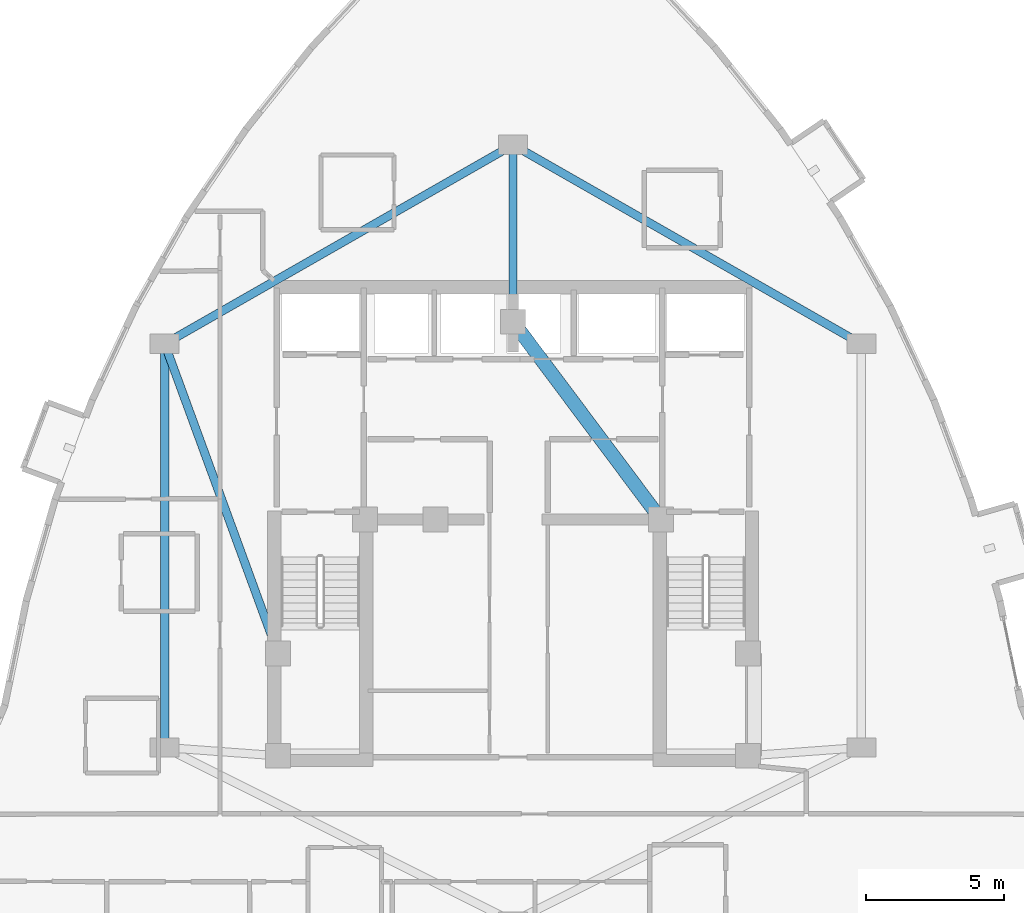
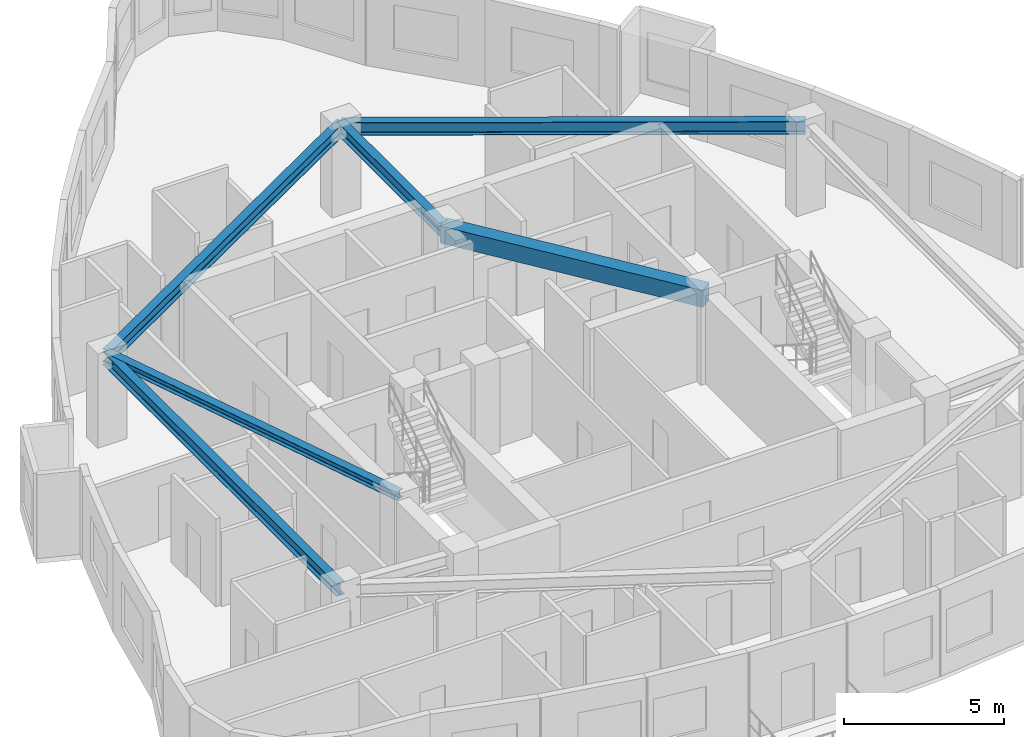
# One storey, part 3 of 15: 6 beams.
"""IFC4 building model written with IfcOpenShell, lengths in metres."""

from ifc_helpers import new_model, si_unit, direction, frame, origin, origin_2d, place, context, subcontext, project, spatial, rectangle, i_section, extrude, material, material_profile, profile_set, type_object, element, save


model = new_model("IFC4")

# Units and contexts
model_context = context("Model", 3, precision=1e-05, world=origin(), true_north=direction((0.0, 1.0)))
body_context = subcontext(model_context, "Body", "Model", "MODEL_VIEW")
ifc_project = project(units=[si_unit("LENGTHUNIT", "METRE"), si_unit("AREAUNIT", "SQUARE_METRE"), si_unit("VOLUMEUNIT", "CUBIC_METRE"), si_unit("PLANEANGLEUNIT", "RADIAN"), si_unit("MASSUNIT", "GRAM", prefix="KILO")], contexts=[model_context])

# Site, building, storey
site_placement = place(None, origin())
site = spatial("IfcSite", under=ifc_project, at=site_placement, CompositionType="ELEMENT")
building_placement = place(site_placement, origin())
building = spatial("IfcBuilding", under=site, at=building_placement, Name="Miruveldt Soraemaru", CompositionType="ELEMENT")
storey_placement = place(building_placement, frame((0.0, 0.0, 234.0)))
storey = spatial("IfcBuildingStorey", under=building, at=storey_placement, Name="L64", CompositionType="ELEMENT", Elevation=234.0)

# Beams
ifc_material_1 = material(Name="Steel SM355 (355 MPa)", Category="steel")
ifc_material_profile_1 = material_profile(ifc_material_1, i_section(OverallWidth=0.300048828125, OverallDepth=0.300048828125, WebThickness=0.010009765625, FlangeThickness=0.014892578125, FilletRadius=0.01806640625, at=origin_2d()), Name="Steel SM355 (355 MPa)", Category="steel")
ifc_profile_set_1 = profile_set([ifc_material_profile_1], Name="Steel SM355 (355 MPa)")
beam_type_1 = type_object("IfcBeamType", Name="BM-LNT-H300", PredefinedType="LINTEL", material=ifc_profile_set_1)
beam_1_placement = place(storey_placement, frame((31.39990234375, 50.39990234375, 3.195068359375), z_axis=(0.343770424598, -0.939053723262, 0.0), x_axis=(0.939053723262, 0.343770424598, 0.0)))
element("IfcBeam", 1, at=beam_1_placement, inside=storey, type_object=beam_type_1, Name="L64 West Lobby Lintel", PredefinedType="LINTEL", context=body_context, shape_type="SweptSolid", body=[
    extrude(i_section(OverallWidth=0.300048828125, OverallDepth=0.300048828125, WebThickness=0.010009765625, FlangeThickness=0.014892578125, FilletRadius=0.01806640625, at=origin_2d()), origin(), (0.0, 0.0, 1.0), 11.9267578125),
])
ifc_material_2 = material(Name="Concrete C50/60 (50 MPa)", Category="concrete")
ifc_material_profile_2 = material_profile(ifc_material_2, rectangle(XDim=0.5, YDim=0.64990234375, at=origin_2d()), Name="Concrete C50/60 (50 MPa)", Category="concrete")
ifc_profile_set_2 = profile_set([ifc_material_profile_2], Name="Concrete C50/60 (50 MPa)")
beam_type_2 = type_object("IfcBeamType", Name="BM-RC-500x650", PredefinedType="BEAM", material=ifc_profile_set_2)
beam_2_placement = place(storey_placement, frame((49.35009765625, 44.050048828125, 3.02001953125), z_axis=(-0.599116023999, 0.800662219533, 0.0), x_axis=(-0.800662219533, -0.599116023999, 0.0)))
element("IfcBeam", 2, at=beam_2_placement, inside=storey, type_object=beam_type_2, Name="L64 Core Tie Beam 5", PredefinedType="BEAM", context=body_context, shape_type="SweptSolid", body=[
    extrude(rectangle(XDim=0.5, YDim=0.64990234375, at=origin_2d()), origin(), (0.0, 0.0, 1.0), 8.929931640625),
])
ifc_material_profile_3 = material_profile(ifc_material_1, i_section(OverallWidth=0.300048828125, OverallDepth=0.488037109375, WebThickness=0.010986328125, FlangeThickness=0.01806640625, FilletRadius=0.02587890625, at=origin_2d()), Name="Steel SM355 (355 MPa)", Category="steel")
ifc_profile_set_3 = profile_set([ifc_material_profile_3], Name="Steel SM355 (355 MPa)")
beam_type_3 = type_object("IfcBeamType", Name="BM-ST-H488", PredefinedType="BEAM", material=ifc_profile_set_3)
beam_3_placement = place(storey_placement, frame((44.0, 57.60009765625, 3.10107421875), z_axis=(0.868239001029, -0.496146185203, 0.0), x_axis=(0.496146185203, 0.868239001029, 0.0)))
element("IfcBeam", 3, at=beam_3_placement, inside=storey, type_object=beam_type_3, Name="L64 Inner Ring Girder 1", PredefinedType="BEAM", context=body_context, shape_type="SweptSolid", body=[
    extrude(i_section(OverallWidth=0.300048828125, OverallDepth=0.488037109375, WebThickness=0.010986328125, FlangeThickness=0.01806640625, FilletRadius=0.02587890625, at=origin_2d()), origin(), (0.0, 0.0, 1.0), 14.51220703125),
])
beam_4_placement = place(storey_placement, frame((44.0, 51.199951171875, 3.10107421875), z_axis=(0.0, 1.0, 0.0), x_axis=(-1.0, 0.0, 0.0)))
element("IfcBeam", 4, at=beam_4_placement, inside=storey, type_object=beam_type_3, Name="L64 Core-to-Inner Radial Girder 1", PredefinedType="BEAM", context=body_context, shape_type="SweptSolid", body=[
    extrude(i_section(OverallWidth=0.300048828125, OverallDepth=0.488037109375, WebThickness=0.010986328125, FlangeThickness=0.01806640625, FilletRadius=0.02587890625, at=origin_2d()), origin(), (0.0, 0.0, 1.0), 6.400146484375),
])
beam_5_placement = place(storey_placement, frame((31.39990234375, 35.800048828125, 3.10107421875), z_axis=(0.0, 1.0, 0.0), x_axis=(-1.0, 0.0, 0.0)))
element("IfcBeam", 5, at=beam_5_placement, inside=storey, type_object=beam_type_3, Name="L64 Inner Ring Girder 5", PredefinedType="BEAM", context=body_context, shape_type="SweptSolid", body=[
    extrude(i_section(OverallWidth=0.300048828125, OverallDepth=0.488037109375, WebThickness=0.010986328125, FlangeThickness=0.01806640625, FilletRadius=0.02587890625, at=origin_2d()), origin(), (0.0, 0.0, 1.0), 14.599853515625),
])
beam_6_placement = place(storey_placement, frame((31.39990234375, 50.39990234375, 3.10107421875), z_axis=(0.868239001029, 0.496146185203, 0.0), x_axis=(-0.496146185203, 0.868239001029, 0.0)))
element("IfcBeam", 6, at=beam_6_placement, inside=storey, type_object=beam_type_3, Name="L64 Inner Ring Girder 6", PredefinedType="BEAM", context=body_context, shape_type="SweptSolid", body=[
    extrude(i_section(OverallWidth=0.300048828125, OverallDepth=0.488037109375, WebThickness=0.010986328125, FlangeThickness=0.01806640625, FilletRadius=0.02587890625, at=origin_2d()), origin(), (0.0, 0.0, 1.0), 14.51220703125),
])

save(model, "model.ifc")
